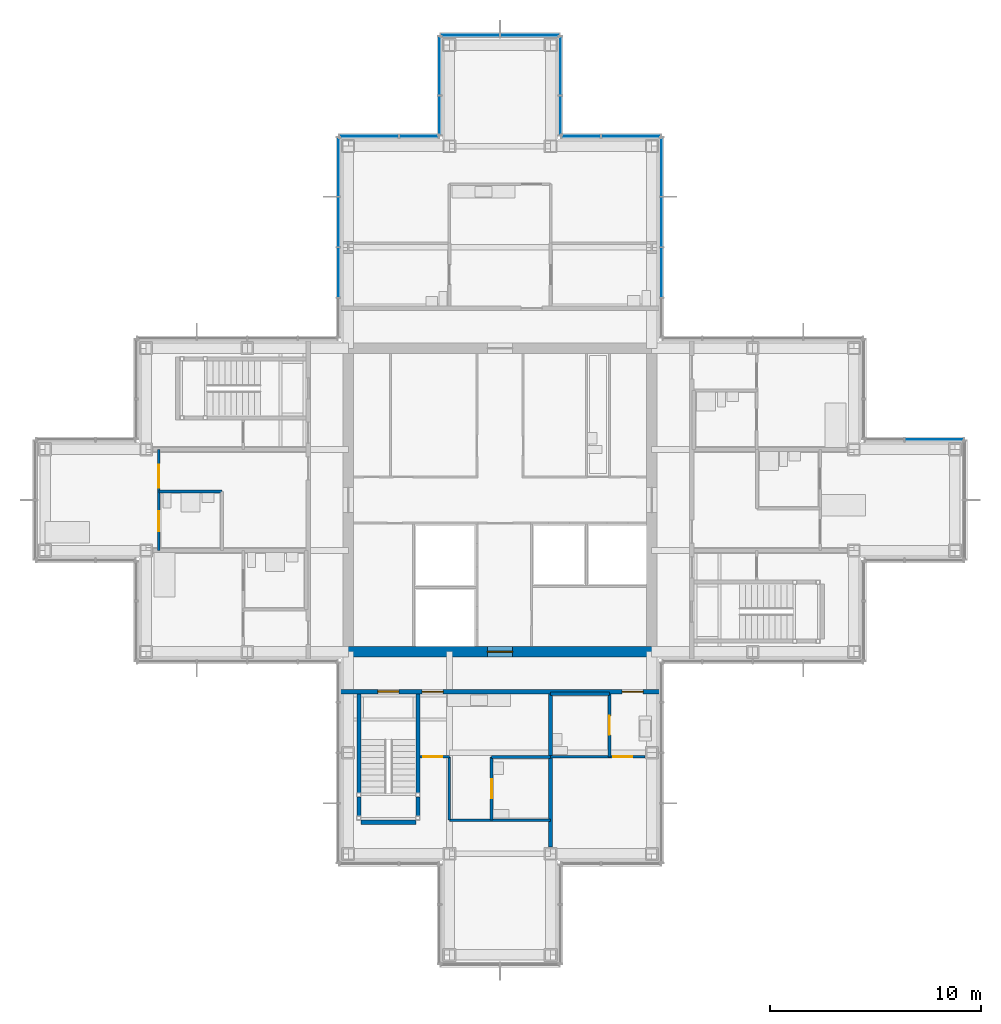
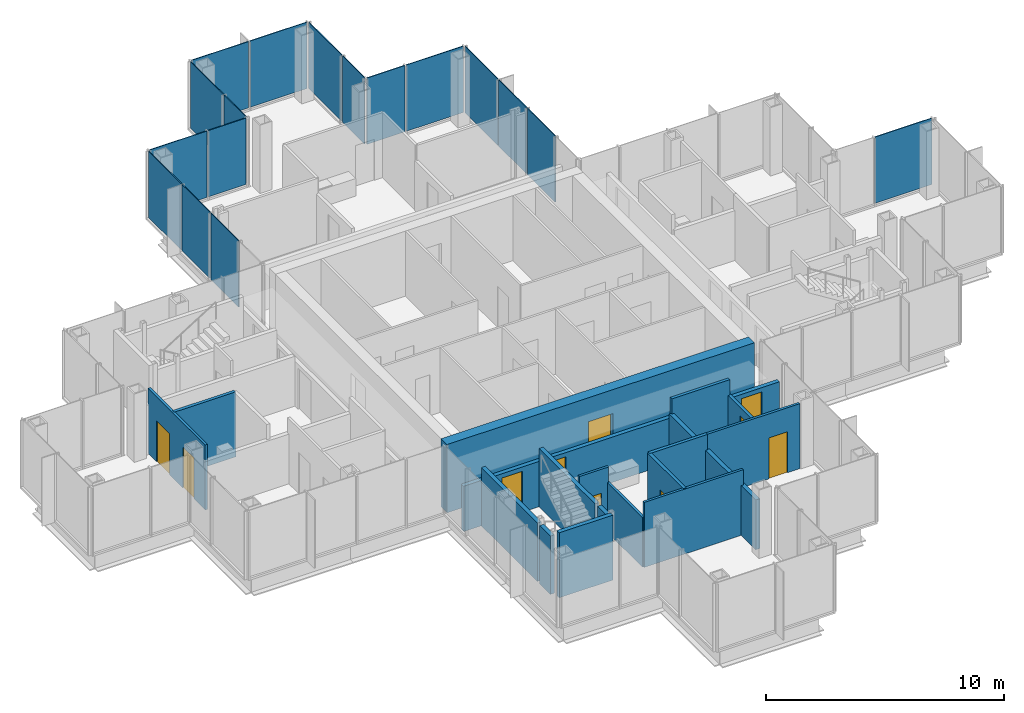
# One storey, part 11 of 17: 18 walls, 17 plates, 10 doors, 10 openings, 8 elements without a shape of their own.
"""IFC4 building model written with IfcOpenShell, lengths in metres."""

from ifc_helpers import new_model, si_unit, direction, frame, frame_2d, origin, origin_2d, place, context, subcontext, project, spatial, rectangle, extrude, material, layer, layer_set, type_object, element, fill, aggregate, save


model = new_model("IFC4")

# Units and contexts
model_context = context("Model", 3, precision=1e-05, world=origin(), true_north=direction((0.0, 1.0)))
body_context = subcontext(model_context, "Body", "Model", "MODEL_VIEW")
ifc_project = project(units=[si_unit("LENGTHUNIT", "METRE"), si_unit("AREAUNIT", "SQUARE_METRE"), si_unit("VOLUMEUNIT", "CUBIC_METRE"), si_unit("PLANEANGLEUNIT", "RADIAN"), si_unit("MASSUNIT", "GRAM", prefix="KILO")], contexts=[model_context])

# Site, building, storey
site_placement = place(None, origin())
site = spatial("IfcSite", under=ifc_project, at=site_placement, CompositionType="ELEMENT")
building_placement = place(site_placement, origin())
building = spatial("IfcBuilding", under=site, at=building_placement, Name="Kvirike Care Tower", CompositionType="ELEMENT")
storey_placement = place(building_placement, frame((0.0, 0.0, 155.0)))
storey = spatial("IfcBuildingStorey", under=building, at=storey_placement, Name="L42", CompositionType="ELEMENT", Elevation=155.0)

# Curtain wall, plate
ifc_material_1 = material(Name="Anodised aluminium stick system", Category="aluminium")
curtain_wall_type = type_object("IfcCurtainWallType", Name="CW-C STICK CURTAIN WALL", PredefinedType="NOTDEFINED", material=ifc_material_1)
curtain_wall_1_placement = place(storey_placement, origin())
curtain_wall_1 = element("IfcCurtainWall", 1, at=curtain_wall_1_placement, inside=storey, type_object=curtain_wall_type, Name="Curtain wall L42 face 5", PredefinedType="NOTDEFINED")
ifc_material_2 = material(Name="Tinted double glazed unit", Category="glass")
ifc_layer_1 = layer(ifc_material_2, 0.0400390625)
ifc_layer_set_1 = layer_set([ifc_layer_1], Name="TINTED VISION PANEL 40")
plate_type = type_object("IfcPlateType", Name="TINTED VISION PANEL 40", PredefinedType="CURTAIN_PANEL", material=ifc_layer_set_1)
plate_1_placement = place(storey_placement, frame((42.21875, 38.8701171875, 0.10009765625), z_axis=(0.0, 0.0, 1.0), x_axis=(-1.0, 0.0, 0.0)))
plate_1 = element("IfcPlate", 2, at=plate_1_placement, type_object=plate_type, Name="CW-C panel L42 face 5.1", PredefinedType="CURTAIN_PANEL", context=body_context, shape_type="SweptSolid", body=[
    extrude(rectangle(XDim=2.7724609375, YDim=0.0400390625, at=origin_2d()), origin(), (0.0, 0.0, 1.0), 3.39990234375),
])
aggregate(curtain_wall_1, [plate_1])

# Curtain wall, plates
curtain_wall_2_placement = place(storey_placement, origin())
curtain_wall_2 = element("IfcCurtainWall", 3, at=curtain_wall_2_placement, inside=storey, type_object=curtain_wall_type, Name="Curtain wall L42 face 8", PredefinedType="NOTDEFINED")
plate_2_placement = place(storey_placement, frame((29.27001953125, 46.800048828125, 0.10009765625), z_axis=(0.0, 0.0, 1.0), x_axis=(0.0, 1.0, 0.0)))
plate_2 = element("IfcPlate", 4, at=plate_2_placement, type_object=plate_type, Name="CW-C panel L42 face 8.2", PredefinedType="CURTAIN_PANEL", context=body_context, shape_type="SweptSolid", body=[
    extrude(rectangle(XDim=2.3349609375, YDim=0.0400390625, at=origin_2d()), origin(), (0.0, 0.0, 1.0), 3.39990234375),
])
plate_3_placement = place(storey_placement, frame((29.27001953125, 49.199951171875, 0.10009765625), z_axis=(0.0, 0.0, 1.0), x_axis=(0.0, 1.0, 0.0)))
plate_3 = element("IfcPlate", 5, at=plate_3_placement, type_object=plate_type, Name="CW-C panel L42 face 8.3", PredefinedType="CURTAIN_PANEL", context=body_context, shape_type="SweptSolid", body=[
    extrude(rectangle(XDim=2.3349609375, YDim=0.0400390625, at=origin_2d()), origin(), (0.0, 0.0, 1.0), 3.39990234375),
])
plate_4_placement = place(storey_placement, frame((29.27001953125, 51.81884765625, 0.10009765625), z_axis=(0.0, 0.0, 1.0), x_axis=(0.0, 1.0, 0.0)))
plate_4 = element("IfcPlate", 6, at=plate_4_placement, type_object=plate_type, Name="CW-C panel L42 face 8.4", PredefinedType="CURTAIN_PANEL", context=body_context, shape_type="SweptSolid", body=[
    extrude(rectangle(XDim=2.7724609375, YDim=0.0400390625, at=origin_2d()), origin(), (0.0, 0.0, 1.0), 3.39990234375),
])
aggregate(curtain_wall_2, [plate_2, plate_3, plate_4])

curtain_wall_3_placement = place(storey_placement, origin())
curtain_wall_3 = element("IfcCurtainWall", 7, at=curtain_wall_3_placement, inside=storey, type_object=curtain_wall_type, Name="Curtain wall L42 face 9", PredefinedType="NOTDEFINED")
plate_5_placement = place(storey_placement, frame((27.81884765625, 53.27001953125, 0.10009765625), z_axis=(0.0, 0.0, 1.0), x_axis=(-1.0, 0.0, 0.0)))
plate_5 = element("IfcPlate", 8, at=plate_5_placement, type_object=plate_type, Name="CW-C panel L42 face 9.1", PredefinedType="CURTAIN_PANEL", context=body_context, shape_type="SweptSolid", body=[
    extrude(rectangle(XDim=2.7724609375, YDim=0.0400390625, at=origin_2d()), origin(), (0.0, 0.0, 1.0), 3.39990234375),
])
plate_6_placement = place(storey_placement, frame((25.451171875, 53.27001953125, 0.10009765625), z_axis=(0.0, 0.0, 1.0), x_axis=(-1.0, 0.0, 0.0)))
plate_6 = element("IfcPlate", 9, at=plate_6_placement, type_object=plate_type, Name="CW-C panel L42 face 9.2", PredefinedType="CURTAIN_PANEL", context=body_context, shape_type="SweptSolid", body=[
    extrude(rectangle(XDim=1.83251953125, YDim=0.0400390625, at=origin_2d()), origin(), (0.0, 0.0, 1.0), 3.39990234375),
])
aggregate(curtain_wall_3, [plate_5, plate_6])

curtain_wall_4_placement = place(storey_placement, origin())
curtain_wall_4 = element("IfcCurtainWall", 10, at=curtain_wall_4_placement, inside=storey, type_object=curtain_wall_type, Name="Curtain wall L42 face 10", PredefinedType="NOTDEFINED")
plate_7_placement = place(storey_placement, frame((24.469970703125, 54.251220703125, 0.10009765625), z_axis=(0.0, 0.0, 1.0), x_axis=(0.0, 1.0, 0.0)))
plate_7 = element("IfcPlate", 11, at=plate_7_placement, type_object=plate_type, Name="CW-C panel L42 face 10.1", PredefinedType="CURTAIN_PANEL", context=body_context, shape_type="SweptSolid", body=[
    extrude(rectangle(XDim=1.83251953125, YDim=0.0400390625, at=origin_2d()), origin(), (0.0, 0.0, 1.0), 3.39990234375),
])
plate_8_placement = place(storey_placement, frame((24.469970703125, 56.61865234375, 0.10009765625), z_axis=(0.0, 0.0, 1.0), x_axis=(0.0, 1.0, 0.0)))
plate_8 = element("IfcPlate", 12, at=plate_8_placement, type_object=plate_type, Name="CW-C panel L42 face 10.2", PredefinedType="CURTAIN_PANEL", context=body_context, shape_type="SweptSolid", body=[
    extrude(rectangle(XDim=2.7724609375, YDim=0.0400390625, at=origin_2d()), origin(), (0.0, 0.0, 1.0), 3.39990234375),
])
aggregate(curtain_wall_4, [plate_7, plate_8])

curtain_wall_5_placement = place(storey_placement, origin())
curtain_wall_5 = element("IfcCurtainWall", 13, at=curtain_wall_5_placement, inside=storey, type_object=curtain_wall_type, Name="Curtain wall L42 face 11", PredefinedType="NOTDEFINED")
plate_9_placement = place(storey_placement, frame((23.018798828125, 58.070068359375, 0.10009765625), z_axis=(0.0, 0.0, 1.0), x_axis=(-1.0, 0.0, 0.0)))
plate_9 = element("IfcPlate", 14, at=plate_9_placement, type_object=plate_type, Name="CW-C panel L42 face 11.1", PredefinedType="CURTAIN_PANEL", context=body_context, shape_type="SweptSolid", body=[
    extrude(rectangle(XDim=2.7724609375, YDim=0.0400390625, at=origin_2d()), origin(), (0.0, 0.0, 1.0), 3.39990234375),
])
plate_10_placement = place(storey_placement, frame((20.18115234375, 58.070068359375, 0.10009765625), z_axis=(0.0, 0.0, 1.0), x_axis=(-1.0, 0.0, 0.0)))
plate_10 = element("IfcPlate", 15, at=plate_10_placement, type_object=plate_type, Name="CW-C panel L42 face 11.2", PredefinedType="CURTAIN_PANEL", context=body_context, shape_type="SweptSolid", body=[
    extrude(rectangle(XDim=2.7724609375, YDim=0.0400390625, at=origin_2d()), origin(), (0.0, 0.0, 1.0), 3.39990234375),
])
aggregate(curtain_wall_5, [plate_9, plate_10])

curtain_wall_6_placement = place(storey_placement, origin())
curtain_wall_6 = element("IfcCurtainWall", 16, at=curtain_wall_6_placement, inside=storey, type_object=curtain_wall_type, Name="Curtain wall L42 face 12", PredefinedType="NOTDEFINED")
plate_11_placement = place(storey_placement, frame((18.72998046875, 56.61865234375, 0.10009765625), z_axis=(0.0, 0.0, 1.0), x_axis=(0.0, -1.0, 0.0)))
plate_11 = element("IfcPlate", 17, at=plate_11_placement, type_object=plate_type, Name="CW-C panel L42 face 12.1", PredefinedType="CURTAIN_PANEL", context=body_context, shape_type="SweptSolid", body=[
    extrude(rectangle(XDim=2.7724609375, YDim=0.0400390625, at=origin_2d()), origin(), (0.0, 0.0, 1.0), 3.39990234375),
])
plate_12_placement = place(storey_placement, frame((18.72998046875, 54.251220703125, 0.10009765625), z_axis=(0.0, 0.0, 1.0), x_axis=(0.0, -1.0, 0.0)))
plate_12 = element("IfcPlate", 18, at=plate_12_placement, type_object=plate_type, Name="CW-C panel L42 face 12.2", PredefinedType="CURTAIN_PANEL", context=body_context, shape_type="SweptSolid", body=[
    extrude(rectangle(XDim=1.83251953125, YDim=0.0400390625, at=origin_2d()), origin(), (0.0, 0.0, 1.0), 3.39990234375),
])
aggregate(curtain_wall_6, [plate_11, plate_12])

curtain_wall_7_placement = place(storey_placement, origin())
curtain_wall_7 = element("IfcCurtainWall", 19, at=curtain_wall_7_placement, inside=storey, type_object=curtain_wall_type, Name="Curtain wall L42 face 13", PredefinedType="NOTDEFINED")
plate_13_placement = place(storey_placement, frame((17.748779296875, 53.27001953125, 0.10009765625), z_axis=(0.0, 0.0, 1.0), x_axis=(-1.0, 0.0, 0.0)))
plate_13 = element("IfcPlate", 20, at=plate_13_placement, type_object=plate_type, Name="CW-C panel L42 face 13.1", PredefinedType="CURTAIN_PANEL", context=body_context, shape_type="SweptSolid", body=[
    extrude(rectangle(XDim=1.83251953125, YDim=0.0400390625, at=origin_2d()), origin(), (0.0, 0.0, 1.0), 3.39990234375),
])
plate_14_placement = place(storey_placement, frame((15.38134765625, 53.27001953125, 0.10009765625), z_axis=(0.0, 0.0, 1.0), x_axis=(-1.0, 0.0, 0.0)))
plate_14 = element("IfcPlate", 21, at=plate_14_placement, type_object=plate_type, Name="CW-C panel L42 face 13.2", PredefinedType="CURTAIN_PANEL", context=body_context, shape_type="SweptSolid", body=[
    extrude(rectangle(XDim=2.7724609375, YDim=0.0400390625, at=origin_2d()), origin(), (0.0, 0.0, 1.0), 3.39990234375),
])
aggregate(curtain_wall_7, [plate_13, plate_14])

curtain_wall_8_placement = place(storey_placement, origin())
curtain_wall_8 = element("IfcCurtainWall", 22, at=curtain_wall_8_placement, inside=storey, type_object=curtain_wall_type, Name="Curtain wall L42 face 14", PredefinedType="NOTDEFINED")
plate_15_placement = place(storey_placement, frame((13.929931640625, 51.81884765625, 0.10009765625), z_axis=(0.0, 0.0, 1.0), x_axis=(0.0, -1.0, 0.0)))
plate_15 = element("IfcPlate", 23, at=plate_15_placement, type_object=plate_type, Name="CW-C panel L42 face 14.1", PredefinedType="CURTAIN_PANEL", context=body_context, shape_type="SweptSolid", body=[
    extrude(rectangle(XDim=2.7724609375, YDim=0.0400390625, at=origin_2d()), origin(), (0.0, 0.0, 1.0), 3.39990234375),
])
plate_16_placement = place(storey_placement, frame((13.929931640625, 49.199951171875, 0.10009765625), z_axis=(0.0, 0.0, 1.0), x_axis=(0.0, -1.0, 0.0)))
plate_16 = element("IfcPlate", 24, at=plate_16_placement, type_object=plate_type, Name="CW-C panel L42 face 14.2", PredefinedType="CURTAIN_PANEL", context=body_context, shape_type="SweptSolid", body=[
    extrude(rectangle(XDim=2.3349609375, YDim=0.0400390625, at=origin_2d()), origin(), (0.0, 0.0, 1.0), 3.39990234375),
])
plate_17_placement = place(storey_placement, frame((13.929931640625, 46.800048828125, 0.10009765625), z_axis=(0.0, 0.0, 1.0), x_axis=(0.0, -1.0, 0.0)))
plate_17 = element("IfcPlate", 25, at=plate_17_placement, type_object=plate_type, Name="CW-C panel L42 face 14.3", PredefinedType="CURTAIN_PANEL", context=body_context, shape_type="SweptSolid", body=[
    extrude(rectangle(XDim=2.3349609375, YDim=0.0400390625, at=origin_2d()), origin(), (0.0, 0.0, 1.0), 3.39990234375),
])
aggregate(curtain_wall_8, [plate_15, plate_16, plate_17])

# Wall
ifc_material_3 = material(Name="Moisture-resistant board partition", Category="gypsum")
ifc_layer_2 = layer(ifc_material_3, 0.14990234375)
ifc_layer_set_2 = layer_set([ifc_layer_2], Name="BATHROOM WALL 150")
wall_type_1 = type_object("IfcWallType", Name="BATHROOM WALL 150", PredefinedType="PARTITIONING", material=ifc_layer_set_2)
wall_1_placement = place(storey_placement, frame((5.39990234375, 36.39990234375, 0.0), z_axis=(0.0, 0.0, 1.0), x_axis=(1.0, 0.0, 0.0)))
element("IfcWall", 26, at=wall_1_placement, inside=storey, type_object=wall_type_1, Name="Bathroom Wall 150 L42", PredefinedType="PARTITIONING", context=body_context, shape_type="SweptSolid", body=[
    extrude(rectangle(XDim=3.0, YDim=0.14990234375, at=frame_2d((1.5, 0.0))), origin(), (0.0, 0.0, 1.0), 3.330078125),
])

# Wall, opening, door
wall_2_placement = place(storey_placement, frame((21.199951171875, 20.800048828125, 0.0), z_axis=(0.0, 0.0, 1.0), x_axis=(0.0, 1.0, 0.0)))
wall_2 = element("IfcWall", 27, at=wall_2_placement, inside=storey, type_object=wall_type_1, Name="Bathroom Wall 150 L42", PredefinedType="PARTITIONING", context=body_context, shape_type="SweptSolid", body=[
    extrude(rectangle(XDim=3.0, YDim=0.14990234375, at=frame_2d((1.5, 0.0))), origin(), (0.0, 0.0, 1.0), 3.330078125),
])
opening_1_placement = place(wall_2_placement, frame((1.050048828125, 0.0, 0.0)))
opening_1 = element("IfcOpeningElement", 28, at=opening_1_placement, cuts=wall_2, Name="Opening 42-010", PredefinedType="OPENING", context=body_context, shape_type="SweptSolid", body=[
    extrude(rectangle(XDim=0.89990234375, YDim=2.10009765625, at=frame_2d((0.449951171875, 1.050048828125))), frame((0.0, 0.08544921875, 0.0), z_axis=(0.0, -1.0, 0.0), x_axis=(1.0, 0.0, 0.0)), (0.0, 0.0, 1.0), 0.1708984375),
])
ifc_material_4 = material(Name="Timber door set", Category="wood")
door_type_1 = type_object("IfcDoorType", Name="BATHROOM DOOR 900", OperationType="SINGLE_SWING_RIGHT", PredefinedType="DOOR", material=ifc_material_4)
door_1_placement = place(opening_1_placement, frame((0.89990234375, 0.0, 0.0), z_axis=(0.0, 0.0, 1.0), x_axis=(-1.0, 0.0, 0.0)))
door_1 = element("IfcDoor", 29, at=door_1_placement, inside=storey, type_object=door_type_1, Name="Accessible WC door", OperationType="SINGLE_SWING_LEFT", OverallHeight=2.10009765625, OverallWidth=0.89990234375, PredefinedType="DOOR", context=body_context, shape_type="SweptSolid", body=[
    extrude(rectangle(XDim=0.89990234375, YDim=2.10009765625, at=frame_2d((0.449951171875, 1.050048828125))), frame((0.0, 0.02197265625, 0.0), z_axis=(0.0, -1.0, 0.0), x_axis=(1.0, 0.0, 0.0)), (0.0, 0.0, 1.0), 0.0439453125),
])
fill(opening_1, door_1)

# Wall
wall_3_placement = place(storey_placement, frame((21.199951171875, 23.800048828125, 0.0), z_axis=(0.0, 0.0, 1.0), x_axis=(1.0, 0.0, 0.0)))
element("IfcWall", 30, at=wall_3_placement, inside=storey, type_object=wall_type_1, Name="Bathroom Wall 150 L42", PredefinedType="PARTITIONING", context=body_context, shape_type="SweptSolid", body=[
    extrude(rectangle(XDim=2.800048828125, YDim=0.14990234375, at=frame_2d((1.39990234375, 0.0))), origin(), (0.0, 0.0, 1.0), 3.330078125),
])

# Wall, opening, door
wall_4_placement = place(storey_placement, frame((26.800048828125, 23.800048828125, 0.0), z_axis=(0.0, 0.0, 1.0), x_axis=(0.0, 1.0, 0.0)))
wall_4 = element("IfcWall", 31, at=wall_4_placement, inside=storey, type_object=wall_type_1, Name="Bathroom Wall 150 L42", PredefinedType="PARTITIONING", context=body_context, shape_type="SweptSolid", body=[
    extrude(rectangle(XDim=3.0, YDim=0.14990234375, at=frame_2d((1.5, 0.0))), origin(), (0.0, 0.0, 1.0), 2.550048828125),
])
opening_2_placement = place(wall_4_placement, frame((1.050048828125, 0.0, 0.0)))
opening_2 = element("IfcOpeningElement", 32, at=opening_2_placement, cuts=wall_4, Name="Opening 42-012", PredefinedType="OPENING", context=body_context, shape_type="SweptSolid", body=[
    extrude(rectangle(XDim=0.89990234375, YDim=2.10009765625, at=frame_2d((0.449951171875, 1.050048828125))), frame((0.0, 0.08544921875, 0.0), z_axis=(0.0, -1.0, 0.0), x_axis=(1.0, 0.0, 0.0)), (0.0, 0.0, 1.0), 0.1708984375),
])
door_2_placement = place(opening_2_placement, frame((0.89990234375, 0.0, 0.0), z_axis=(0.0, 0.0, 1.0), x_axis=(-1.0, 0.0, 0.0)))
door_2 = element("IfcDoor", 33, at=door_2_placement, inside=storey, type_object=door_type_1, Name="Staff WC door", OperationType="SINGLE_SWING_LEFT", OverallHeight=2.10009765625, OverallWidth=0.89990234375, PredefinedType="DOOR", context=body_context, shape_type="SweptSolid", body=[
    extrude(rectangle(XDim=0.89990234375, YDim=2.10009765625, at=frame_2d((0.449951171875, 1.050048828125))), frame((0.0, 0.02197265625, 0.0), z_axis=(0.0, -1.0, 0.0), x_axis=(1.0, 0.0, 0.0)), (0.0, 0.0, 1.0), 0.0439453125),
])
fill(opening_2, door_2)

# Wall
wall_5_placement = place(storey_placement, frame((24.0, 26.800048828125, 0.0), z_axis=(0.0, 0.0, 1.0), x_axis=(1.0, 0.0, 0.0)))
element("IfcWall", 34, at=wall_5_placement, inside=storey, type_object=wall_type_1, Name="Bathroom Wall 150 L42", PredefinedType="PARTITIONING", context=body_context, shape_type="SweptSolid", body=[
    extrude(rectangle(XDim=2.800048828125, YDim=0.14990234375, at=frame_2d((1.39990234375, 0.0))), origin(), (0.0, 0.0, 1.0), 3.330078125),
])

# Wall, opening, door
ifc_material_5 = material(Name="Concrete C45/55", Category="concrete")
ifc_layer_3 = layer(ifc_material_5, 0.5)
ifc_layer_set_3 = layer_set([ifc_layer_3], Name="CORE WALL 500 C45-55")
wall_type_2 = type_object("IfcWallType", Name="CORE WALL 500 C45-55", PredefinedType="SHEAR", material=ifc_layer_set_3)
wall_6_placement = place(storey_placement, frame((14.14990234375, 28.800048828125, -0.169921875), z_axis=(0.0, 0.0, 1.0), x_axis=(1.0, 0.0, 0.0)))
wall_6 = element("IfcWall", 35, at=wall_6_placement, inside=storey, type_object=wall_type_2, Name="Core wall S L42", PredefinedType="SHEAR", context=body_context, shape_type="SweptSolid", body=[
    extrude(rectangle(XDim=14.900146484375, YDim=0.5, at=frame_2d((7.4501953125, 0.0))), origin(), (0.0, 0.0, 1.0), 3.5),
])
opening_3_placement = place(wall_6_placement, frame((6.85009765625, 0.0, 0.169921875)))
opening_3 = element("IfcOpeningElement", 36, at=opening_3_placement, cuts=wall_6, Name="Opening 42-043", PredefinedType="OPENING", context=body_context, shape_type="SweptSolid", body=[
    extrude(rectangle(XDim=1.199951171875, YDim=2.10009765625, at=frame_2d((0.60009765625, 1.050048828125))), frame((0.0, 0.260498046875, 0.0), z_axis=(0.0, -1.0, 0.0), x_axis=(1.0, 0.0, 0.0)), (0.0, 0.0, 1.0), 0.52099609375),
])
ifc_material_6 = material(Name="Timber door set", Category="wood")
door_type_2 = type_object("IfcDoorType", Name="CORE DOOR 1200", OperationType="SINGLE_SWING_LEFT", PredefinedType="DOOR", material=ifc_material_6)
door_3_placement = place(opening_3_placement, origin())
door_3 = element("IfcDoor", 37, at=door_3_placement, inside=storey, type_object=door_type_2, Name="Core door S L42", OperationType="SINGLE_SWING_LEFT", OverallHeight=2.10009765625, OverallWidth=1.199951171875, PredefinedType="DOOR", context=body_context, shape_type="SweptSolid", body=[
    extrude(rectangle(XDim=1.199951171875, YDim=2.10009765625, at=frame_2d((0.60009765625, 1.050048828125))), frame((0.0, 0.02685546875, 0.0), z_axis=(0.0, -1.0, 0.0), x_axis=(1.0, 0.0, 0.0)), (0.0, 0.0, 1.0), 0.053955078125),
])
fill(opening_3, door_3)

# Wall, openings, doors
ifc_material_7 = material(Name="Plasterboard corridor wall", Category="gypsum")
ifc_layer_4 = layer(ifc_material_7, 0.199951171875)
ifc_layer_set_4 = layer_set([ifc_layer_4], Name="CORRIDOR WALL 200")
wall_type_3 = type_object("IfcWallType", Name="CORRIDOR WALL 200", PredefinedType="PARTITIONING", material=ifc_layer_set_4)
wall_7_placement = place(storey_placement, frame((13.949951171875, 26.89990234375, 0.0), z_axis=(0.0, 0.0, 1.0), x_axis=(1.0, 0.0, 0.0)))
wall_7 = element("IfcWall", 38, at=wall_7_placement, inside=storey, type_object=wall_type_3, Name="Corridor Wall 200 L42", PredefinedType="PARTITIONING", context=body_context, shape_type="SweptSolid", body=[
    extrude(rectangle(XDim=15.300048828125, YDim=0.199951171875, at=frame_2d((7.64990234375, 0.0))), origin(), (0.0, 0.0, 1.0), 2.320068359375),
])
opening_4_placement = place(wall_7_placement, frame((1.85009765625, 0.0, 0.0)))
opening_4 = element("IfcOpeningElement", 39, at=opening_4_placement, cuts=wall_7, Name="Opening 42-014", PredefinedType="OPENING", context=body_context, shape_type="SweptSolid", body=[
    extrude(rectangle(XDim=1.0, YDim=2.10009765625, at=frame_2d((0.5, 1.050048828125))), frame((0.0, 0.110595703125, 0.0), z_axis=(0.0, -1.0, 0.0), x_axis=(1.0, 0.0, 0.0)), (0.0, 0.0, 1.0), 0.220947265625),
])
opening_5_placement = place(wall_7_placement, frame((3.949951171875, 0.0, 0.0)))
opening_5 = element("IfcOpeningElement", 40, at=opening_5_placement, cuts=wall_7, Name="Opening 42-015", PredefinedType="OPENING", context=body_context, shape_type="SweptSolid", body=[
    extrude(rectangle(XDim=1.0, YDim=2.10009765625, at=frame_2d((0.5, 1.050048828125))), frame((0.0, 0.110595703125, 0.0), z_axis=(0.0, -1.0, 0.0), x_axis=(1.0, 0.0, 0.0)), (0.0, 0.0, 1.0), 0.220947265625),
])
opening_6_placement = place(wall_7_placement, frame((13.449951171875, 0.0, 0.0)))
opening_6 = element("IfcOpeningElement", 41, at=opening_6_placement, cuts=wall_7, Name="Opening 42-016", PredefinedType="OPENING", context=body_context, shape_type="SweptSolid", body=[
    extrude(rectangle(XDim=1.0, YDim=2.10009765625, at=frame_2d((0.5, 1.050048828125))), frame((0.0, 0.110595703125, 0.0), z_axis=(0.0, -1.0, 0.0), x_axis=(1.0, 0.0, 0.0)), (0.0, 0.0, 1.0), 0.220947265625),
])
ifc_material_8 = material(Name="Timber door set", Category="wood")
door_type_3 = type_object("IfcDoorType", Name="FLAT ENTRANCE DOOR 1000", OperationType="SINGLE_SWING_LEFT", PredefinedType="DOOR", material=ifc_material_8)
door_4_placement = place(opening_5_placement, frame((1.0, 0.0, 0.0), z_axis=(0.0, 0.0, 1.0), x_axis=(-1.0, 0.0, 0.0)))
door_4 = element("IfcDoor", 42, at=door_4_placement, inside=storey, type_object=door_type_3, Name="Household lounge entrance", OperationType="SINGLE_SWING_LEFT", OverallHeight=2.10009765625, OverallWidth=1.0, PredefinedType="DOOR", context=body_context, shape_type="SweptSolid", body=[
    extrude(rectangle(XDim=1.0, YDim=2.10009765625, at=frame_2d((0.5, 1.050048828125))), frame((0.0, 0.02685546875, 0.0), z_axis=(0.0, -1.0, 0.0), x_axis=(1.0, 0.0, 0.0)), (0.0, 0.0, 1.0), 0.053955078125),
])
fill(opening_5, door_4)
door_5_placement = place(opening_6_placement, frame((1.0, 0.0, 0.0), z_axis=(0.0, 0.0, 1.0), x_axis=(-1.0, 0.0, 0.0)))
door_5 = element("IfcDoor", 43, at=door_5_placement, inside=storey, type_object=door_type_3, Name="Household dining entrance", OperationType="SINGLE_SWING_RIGHT", OverallHeight=2.10009765625, OverallWidth=1.0, PredefinedType="DOOR", context=body_context, shape_type="SweptSolid", body=[
    extrude(rectangle(XDim=1.0, YDim=2.10009765625, at=frame_2d((0.5, 1.050048828125))), frame((0.0, 0.02685546875, 0.0), z_axis=(0.0, -1.0, 0.0), x_axis=(1.0, 0.0, 0.0)), (0.0, 0.0, 1.0), 0.053955078125),
])
fill(opening_6, door_5)
ifc_material_9 = material(Name="Timber door set", Category="wood")
door_type_4 = type_object("IfcDoorType", Name="STAIR DOOR 1000", OperationType="SINGLE_SWING_LEFT", PredefinedType="DOOR", material=ifc_material_9)
door_6_placement = place(opening_4_placement, frame((1.0, 0.0, 0.0), z_axis=(0.0, 0.0, 1.0), x_axis=(-1.0, 0.0, 0.0)))
door_6 = element("IfcDoor", 44, at=door_6_placement, inside=storey, type_object=door_type_4, Name="Stair 5 door", OperationType="SINGLE_SWING_LEFT", OverallHeight=2.10009765625, OverallWidth=1.0, PredefinedType="DOOR", context=body_context, shape_type="SweptSolid", body=[
    extrude(rectangle(XDim=1.0, YDim=2.10009765625, at=frame_2d((0.5, 1.050048828125))), frame((0.0, 0.031982421875, 0.0), z_axis=(0.0, -1.0, 0.0), x_axis=(1.0, 0.0, 0.0)), (0.0, 0.0, 1.0), 0.06396484375),
])
fill(opening_4, door_6)

ifc_material_10 = material(Name="Plasterboard partition", Category="gypsum")
ifc_layer_5 = layer(ifc_material_10, 0.1201171875)
ifc_layer_set_5 = layer_set([ifc_layer_5], Name="PARTITION 120")
wall_type_4 = type_object("IfcWallType", Name="PARTITION 120", PredefinedType="PARTITIONING", material=ifc_layer_set_5)
wall_8_placement = place(storey_placement, frame((5.39990234375, 38.39990234375, 0.0), z_axis=(0.0, 0.0, 1.0), x_axis=(0.0, -1.0, 0.0)))
wall_8 = element("IfcWall", 45, at=wall_8_placement, inside=storey, type_object=wall_type_4, Name="Partition 120 L42", PredefinedType="PARTITIONING", context=body_context, shape_type="SweptSolid", body=[
    extrude(rectangle(XDim=4.7998046875, YDim=0.1201171875, at=frame_2d((2.39990234375, 0.0))), origin(), (0.0, 0.0, 1.0), 3.330078125),
])
opening_7_placement = place(wall_8_placement, frame((0.72509765625, 0.0, 0.0)))
opening_7 = element("IfcOpeningElement", 46, at=opening_7_placement, cuts=wall_8, Name="Opening 42-002", PredefinedType="OPENING", context=body_context, shape_type="SweptSolid", body=[
    extrude(rectangle(XDim=1.10009765625, YDim=2.10009765625, at=frame_2d((0.550048828125, 1.050048828125))), frame((0.0, 0.070556640625, 0.0), z_axis=(0.0, -1.0, 0.0), x_axis=(1.0, 0.0, 0.0)), (0.0, 0.0, 1.0), 0.14111328125),
])
opening_8_placement = place(wall_8_placement, frame((2.925048828125, 0.0, 0.0)))
opening_8 = element("IfcOpeningElement", 47, at=opening_8_placement, cuts=wall_8, Name="Opening 42-003", PredefinedType="OPENING", context=body_context, shape_type="SweptSolid", body=[
    extrude(rectangle(XDim=0.949951171875, YDim=2.10009765625, at=frame_2d((0.47509765625, 1.050048828125))), frame((0.0, 0.070556640625, 0.0), z_axis=(0.0, -1.0, 0.0), x_axis=(1.0, 0.0, 0.0)), (0.0, 0.0, 1.0), 0.14111328125),
])
ifc_material_11 = material(Name="Timber door set", Category="wood")
door_type_5 = type_object("IfcDoorType", Name="BEDROOM DOOR 1100", OperationType="SINGLE_SWING_LEFT", PredefinedType="DOOR", material=ifc_material_11)
door_7_placement = place(opening_7_placement, origin())
door_7 = element("IfcDoor", 48, at=door_7_placement, inside=storey, type_object=door_type_5, Name="Memory care bedroom door", OperationType="SINGLE_SWING_LEFT", OverallHeight=2.10009765625, OverallWidth=1.10009765625, PredefinedType="DOOR", context=body_context, shape_type="SweptSolid", body=[
    extrude(rectangle(XDim=1.10009765625, YDim=2.10009765625, at=frame_2d((0.550048828125, 1.050048828125))), frame((0.0, 0.02197265625, 0.0), z_axis=(0.0, -1.0, 0.0), x_axis=(1.0, 0.0, 0.0)), (0.0, 0.0, 1.0), 0.0439453125),
])
fill(opening_7, door_7)
ifc_material_12 = material(Name="Timber door set", Category="wood")
door_type_6 = type_object("IfcDoorType", Name="EN-SUITE SLIDING DOOR 950", OperationType="SLIDING_TO_LEFT", PredefinedType="DOOR", material=ifc_material_12)
door_8_placement = place(opening_8_placement, origin())
door_8 = element("IfcDoor", 49, at=door_8_placement, inside=storey, type_object=door_type_6, Name="En-suite door", OperationType="SLIDING_TO_RIGHT", OverallHeight=2.10009765625, OverallWidth=0.949951171875, PredefinedType="DOOR", context=body_context, shape_type="SweptSolid", body=[
    extrude(rectangle(XDim=0.949951171875, YDim=2.10009765625, at=frame_2d((0.47509765625, 1.050048828125))), frame((0.0, 0.02197265625, 0.0), z_axis=(0.0, -1.0, 0.0), x_axis=(1.0, 0.0, 0.0)), (0.0, 0.0, 1.0), 0.0439453125),
])
fill(opening_8, door_8)

# Wall, opening, door
wall_9_placement = place(storey_placement, frame((17.800048828125, 23.800048828125, 0.0), z_axis=(0.0, 0.0, 1.0), x_axis=(1.0, 0.0, 0.0)))
wall_9 = element("IfcWall", 50, at=wall_9_placement, inside=storey, type_object=wall_type_4, Name="Partition 120 L42", PredefinedType="PARTITIONING", context=body_context, shape_type="SweptSolid", body=[
    extrude(rectangle(XDim=1.39990234375, YDim=0.1201171875, at=frame_2d((0.699951171875, 0.0))), origin(), (0.0, 0.0, 1.0), 3.330078125),
])
opening_9_placement = place(wall_9_placement, frame((0.14990234375, 0.0, 0.0)))
opening_9 = element("IfcOpeningElement", 51, at=opening_9_placement, cuts=wall_9, Name="Opening 42-011", PredefinedType="OPENING", context=body_context, shape_type="SweptSolid", body=[
    extrude(rectangle(XDim=0.89990234375, YDim=2.10009765625, at=frame_2d((0.449951171875, 1.050048828125))), frame((0.0, 0.070556640625, 0.0), z_axis=(0.0, -1.0, 0.0), x_axis=(1.0, 0.0, 0.0)), (0.0, 0.0, 1.0), 0.14111328125),
])
ifc_material_13 = material(Name="Timber door set", Category="wood")
door_type_7 = type_object("IfcDoorType", Name="INTERNAL DOOR 900", OperationType="SINGLE_SWING_LEFT", PredefinedType="DOOR", material=ifc_material_13)
door_9_placement = place(opening_9_placement, origin())
door_9 = element("IfcDoor", 52, at=door_9_placement, inside=storey, type_object=door_type_7, Name="Household lounge door", OperationType="SINGLE_SWING_RIGHT", OverallHeight=2.10009765625, OverallWidth=0.89990234375, PredefinedType="DOOR", context=body_context, shape_type="SweptSolid", body=[
    extrude(rectangle(XDim=0.89990234375, YDim=2.10009765625, at=frame_2d((0.449951171875, 1.050048828125))), frame((0.0, 0.02197265625, 0.0), z_axis=(0.0, -1.0, 0.0), x_axis=(1.0, 0.0, 0.0)), (0.0, 0.0, 1.0), 0.0439453125),
])
fill(opening_9, door_9)

# Walls
wall_10_placement = place(storey_placement, frame((19.199951171875, 20.800048828125, 0.0), z_axis=(0.0, 0.0, 1.0), x_axis=(1.0, 0.0, 0.0)))
element("IfcWall", 53, at=wall_10_placement, inside=storey, type_object=wall_type_4, Name="Partition 120 L42", PredefinedType="PARTITIONING", context=body_context, shape_type="SweptSolid", body=[
    extrude(rectangle(XDim=4.800048828125, YDim=0.1201171875, at=frame_2d((2.39990234375, 0.0))), origin(), (0.0, 0.0, 1.0), 3.330078125),
])
wall_11_placement = place(storey_placement, frame((19.199951171875, 20.800048828125, 0.0), z_axis=(0.0, 0.0, 1.0), x_axis=(0.0, 1.0, 0.0)))
element("IfcWall", 54, at=wall_11_placement, inside=storey, type_object=wall_type_4, Name="Partition 120 L42", PredefinedType="PARTITIONING", context=body_context, shape_type="SweptSolid", body=[
    extrude(rectangle(XDim=3.0, YDim=0.1201171875, at=frame_2d((1.5, 0.0))), origin(), (0.0, 0.0, 1.0), 2.550048828125),
])

# Wall, opening, door
wall_12_placement = place(storey_placement, frame((24.0, 23.800048828125, 0.0), z_axis=(0.0, 0.0, 1.0), x_axis=(1.0, 0.0, 0.0)))
wall_12 = element("IfcWall", 55, at=wall_12_placement, inside=storey, type_object=wall_type_4, Name="Partition 120 L42", PredefinedType="PARTITIONING", context=body_context, shape_type="SweptSolid", body=[
    extrude(rectangle(XDim=4.47998046875, YDim=0.1201171875, at=frame_2d((2.239990234375, 0.0))), origin(), (0.0, 0.0, 1.0), 3.330078125),
])
opening_10_placement = place(wall_12_placement, frame((2.97509765625, 0.0, 0.0)))
opening_10 = element("IfcOpeningElement", 56, at=opening_10_placement, cuts=wall_12, Name="Opening 42-013", PredefinedType="OPENING", context=body_context, shape_type="SweptSolid", body=[
    extrude(rectangle(XDim=0.89990234375, YDim=2.10009765625, at=frame_2d((0.449951171875, 1.050048828125))), frame((0.0, 0.070556640625, 0.0), z_axis=(0.0, -1.0, 0.0), x_axis=(1.0, 0.0, 0.0)), (0.0, 0.0, 1.0), 0.14111328125),
])
door_10_placement = place(opening_10_placement, origin())
door_10 = element("IfcDoor", 57, at=door_10_placement, inside=storey, type_object=door_type_7, Name="Household dining room door", OperationType="SINGLE_SWING_RIGHT", OverallHeight=2.10009765625, OverallWidth=0.89990234375, PredefinedType="DOOR", context=body_context, shape_type="SweptSolid", body=[
    extrude(rectangle(XDim=0.89990234375, YDim=2.10009765625, at=frame_2d((0.449951171875, 1.050048828125))), frame((0.0, 0.02197265625, 0.0), z_axis=(0.0, -1.0, 0.0), x_axis=(1.0, 0.0, 0.0)), (0.0, 0.0, 1.0), 0.0439453125),
])
fill(opening_10, door_10)

# Walls
ifc_material_14 = material(Name="Plasterboard party wall", Category="gypsum")
ifc_layer_6 = layer(ifc_material_14, 0.199951171875)
ifc_layer_set_6 = layer_set([ifc_layer_6], Name="PARTY WALL 200")
wall_type_5 = type_object("IfcWallType", Name="PARTY WALL 200", PredefinedType="PARTITIONING", material=ifc_layer_set_6)
wall_13_placement = place(storey_placement, frame((24.0, 19.52001953125, 0.0), z_axis=(0.0, 0.0, 1.0), x_axis=(0.0, 1.0, 0.0)))
element("IfcWall", 58, at=wall_13_placement, inside=storey, type_object=wall_type_5, Name="Party Wall 200 L42", PredefinedType="PARTITIONING", context=body_context, shape_type="SweptSolid", body=[
    extrude(rectangle(XDim=7.280029296875, YDim=0.199951171875, at=frame_2d((3.64013671875, 0.0))), origin(), (0.0, 0.0, 1.0), 2.550048828125),
])
ifc_material_15 = material(Name="Concrete C40/50", Category="concrete")
ifc_layer_7 = layer(ifc_material_15, 0.199951171875)
ifc_layer_set_7 = layer_set([ifc_layer_7], Name="STAIR WALL 200")
wall_type_6 = type_object("IfcWallType", Name="STAIR WALL 200", PredefinedType="SOLIDWALL", material=ifc_layer_set_7)
wall_14_placement = place(storey_placement, frame((14.89990234375, 21.0, 0.0), z_axis=(0.0, 0.0, 1.0), x_axis=(0.0, 1.0, 0.0)))
element("IfcWall", 59, at=wall_14_placement, inside=storey, type_object=wall_type_6, Name="Stair Wall 200 L42", PredefinedType="SOLIDWALL", context=body_context, shape_type="SweptSolid", body=[
    extrude(rectangle(XDim=0.89990234375, YDim=0.199951171875, at=frame_2d((0.449951171875, 0.0))), origin(), (0.0, 0.0, 1.0), 2.989990234375),
])
wall_15_placement = place(storey_placement, frame((14.89990234375, 22.10009765625, 0.0), z_axis=(0.0, 0.0, 1.0), x_axis=(0.0, 1.0, 0.0)))
element("IfcWall", 60, at=wall_15_placement, inside=storey, type_object=wall_type_6, Name="Stair Wall 200 L42", PredefinedType="SOLIDWALL", context=body_context, shape_type="SweptSolid", body=[
    extrude(rectangle(XDim=4.699951171875, YDim=0.199951171875, at=frame_2d((2.35009765625, 0.0))), origin(), (0.0, 0.0, 1.0), 2.989990234375),
])
wall_16_placement = place(storey_placement, frame((17.699951171875, 21.0, 0.0), z_axis=(0.0, 0.0, 1.0), x_axis=(0.0, 1.0, 0.0)))
element("IfcWall", 61, at=wall_16_placement, inside=storey, type_object=wall_type_6, Name="Stair Wall 200 L42", PredefinedType="SOLIDWALL", context=body_context, shape_type="SweptSolid", body=[
    extrude(rectangle(XDim=0.89990234375, YDim=0.199951171875, at=frame_2d((0.449951171875, 0.0))), origin(), (0.0, 0.0, 1.0), 2.989990234375),
])
wall_17_placement = place(storey_placement, frame((17.699951171875, 22.10009765625, 0.0), z_axis=(0.0, 0.0, 1.0), x_axis=(0.0, 1.0, 0.0)))
element("IfcWall", 62, at=wall_17_placement, inside=storey, type_object=wall_type_6, Name="Stair Wall 200 L42", PredefinedType="SOLIDWALL", context=body_context, shape_type="SweptSolid", body=[
    extrude(rectangle(XDim=4.699951171875, YDim=0.199951171875, at=frame_2d((2.35009765625, 0.0))), origin(), (0.0, 0.0, 1.0), 2.989990234375),
])
wall_18_placement = place(storey_placement, frame((15.0, 20.699951171875, 0.0), z_axis=(0.0, 0.0, 1.0), x_axis=(1.0, 0.0, 0.0)))
element("IfcWall", 63, at=wall_18_placement, inside=storey, type_object=wall_type_6, Name="Stair Wall 200 L42", PredefinedType="SOLIDWALL", context=body_context, shape_type="SweptSolid", body=[
    extrude(rectangle(XDim=2.60009765625, YDim=0.199951171875, at=frame_2d((1.300048828125, 0.0))), origin(), (0.0, 0.0, 1.0), 3.330078125),
])

save(model, "model.ifc")
